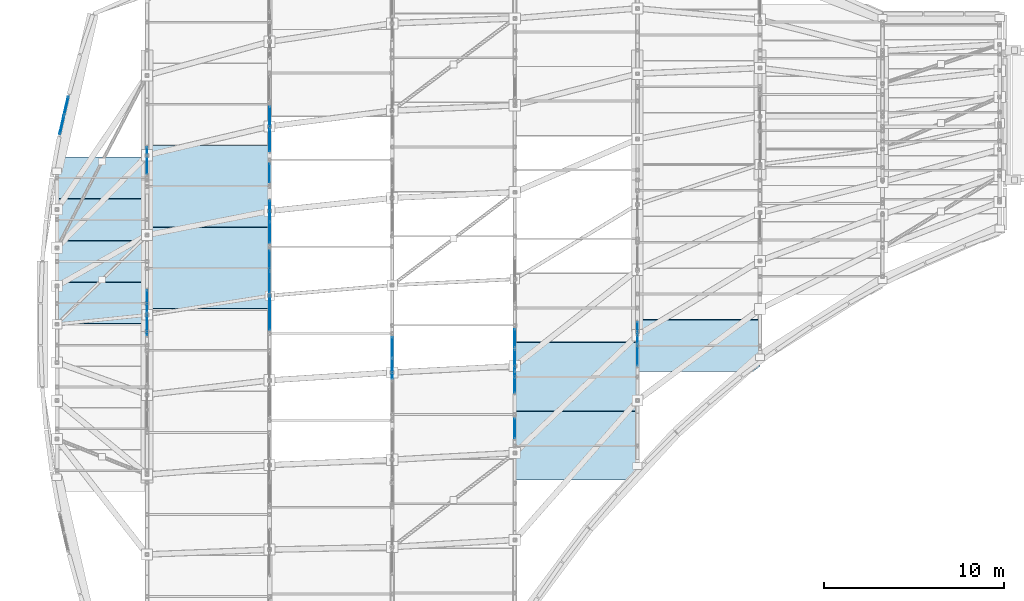
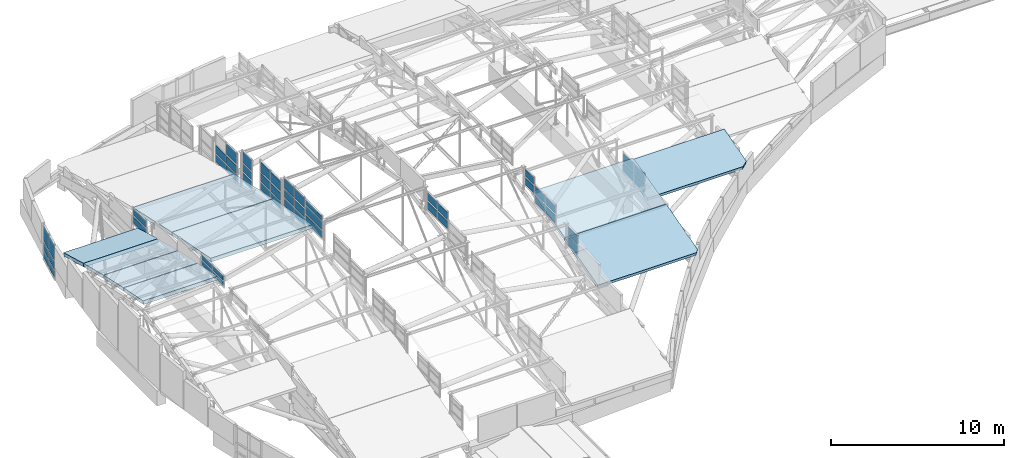
# One storey, part 161 of 188: 51 plates, 9 slabs, 13 elements without a shape of their own.
"""IFC4 building model written with IfcOpenShell, lengths in metres."""

from ifc_helpers import new_model, si_unit, direction, frame, origin, origin_2d, place, context, subcontext, project, spatial, polyline, rectangle, outline, extrude, material, layer, layer_set, type_object, element, aggregate, save


model = new_model("IFC4")

# Units and contexts
model_context = context("Model", 3, precision=1e-05, world=origin(), true_north=direction((0.0, 1.0)))
body_context = subcontext(model_context, "Body", "Model", "MODEL_VIEW")
ifc_project = project(units=[si_unit("LENGTHUNIT", "METRE"), si_unit("AREAUNIT", "SQUARE_METRE"), si_unit("VOLUMEUNIT", "CUBIC_METRE"), si_unit("PLANEANGLEUNIT", "RADIAN"), si_unit("MASSUNIT", "GRAM", prefix="KILO")], contexts=[model_context])

# Site, building, storey
site_placement = place(None, origin())
site = spatial("IfcSite", under=ifc_project, at=site_placement, CompositionType="ELEMENT")
building_placement = place(site_placement, origin())
building = spatial("IfcBuilding", under=site, at=building_placement, Name="Kisaragi Civic Commons", CompositionType="ELEMENT")
storey_placement = place(building_placement, frame((0.0, 0.0, 9.60009765625)))
storey = spatial("IfcBuildingStorey", under=building, at=storey_placement, Name="L02", CompositionType="ELEMENT", Elevation=9.60009765625)

# Curtain wall, plates
ifc_material_1 = material(Name="Thermally broken anodized aluminium and low-E double glazing", Category="aluminium")
ifc_layer_1 = layer(ifc_material_1, 0.2099609375, Name="Thermally broken anodized aluminium and low-E double glazing", Category="aluminium")
ifc_layer_set_1 = layer_set([ifc_layer_1], Name="Thermally broken anodized aluminium and low-E double glazing")
curtain_wall_type_1 = type_object("IfcCurtainWallType", Name="CW-02", PredefinedType="NOTDEFINED", material=ifc_layer_set_1)
curtain_wall_1_placement = place(storey_placement, origin())
curtain_wall_1 = element("IfcCurtainWall", 1, at=curtain_wall_1_placement, inside=storey, type_object=curtain_wall_type_1, Name="L02 curtain wall CW-02 CW-GAB-V2-222", PredefinedType="NOTDEFINED")
ifc_layer_2 = layer(ifc_material_1, 0.052001953125, Name="Thermally broken anodized aluminium and low-E double glazing", Category="aluminium")
ifc_layer_set_2 = layer_set([ifc_layer_2], Name="Thermally broken anodized aluminium and low-E double glazing")
plate_type_1 = type_object("IfcPlateType", Name="CWP-02", PredefinedType="CURTAIN_PANEL", material=ifc_layer_set_2)
plate_1_placement = place(storey_placement, frame((2.07177734375, 107.45263671875, -1.2392578125), z_axis=(0.0, 0.0, 1.0), x_axis=(0.222888557527, 0.974843931572, 0.0)))
plate_1 = element("IfcPlate", 2, at=plate_1_placement, type_object=plate_type_1, Name="CW-02 panel 1.1", PredefinedType="CURTAIN_PANEL", context=body_context, shape_type="SweptSolid", body=[
    extrude(rectangle(XDim=1.023681640625, YDim=0.052001953125, at=origin_2d()), origin(), (0.0, 0.0, 1.0), 0.409912109375),
])
plate_2_placement = place(storey_placement, frame((2.07177734375, 107.45263671875, -0.6689453125), z_axis=(0.0, 0.0, 1.0), x_axis=(0.222888557527, 0.974843931572, 0.0)))
plate_2 = element("IfcPlate", 3, at=plate_2_placement, type_object=plate_type_1, Name="CW-02 panel 1.2", PredefinedType="CURTAIN_PANEL", context=body_context, shape_type="SweptSolid", body=[
    extrude(rectangle(XDim=1.023681640625, YDim=0.052001953125, at=origin_2d()), origin(), (0.0, 0.0, 1.0), 0.489990234375),
])
plate_3_placement = place(storey_placement, frame((2.07177734375, 107.45263671875, -0.01904296875), z_axis=(0.0, 0.0, 1.0), x_axis=(0.222888557527, 0.974843931572, 0.0)))
plate_3 = element("IfcPlate", 4, at=plate_3_placement, type_object=plate_type_1, Name="CW-02 panel 1.3", PredefinedType="CURTAIN_PANEL", context=body_context, shape_type="SweptSolid", body=[
    extrude(rectangle(XDim=1.023681640625, YDim=0.052001953125, at=origin_2d()), origin(), (0.0, 0.0, 1.0), 0.994384765625),
])
plate_4_placement = place(storey_placement, frame((2.3154296875, 108.518798828125, -1.2392578125), z_axis=(0.0, 0.0, 1.0), x_axis=(0.222888557527, 0.974843931572, 0.0)))
plate_4 = element("IfcPlate", 5, at=plate_4_placement, type_object=plate_type_1, Name="CW-02 panel 2.1", PredefinedType="CURTAIN_PANEL", context=body_context, shape_type="SweptSolid", body=[
    extrude(rectangle(XDim=1.023681640625, YDim=0.052001953125, at=origin_2d()), origin(), (0.0, 0.0, 1.0), 0.409912109375),
])
plate_5_placement = place(storey_placement, frame((2.3154296875, 108.518798828125, -0.6689453125), z_axis=(0.0, 0.0, 1.0), x_axis=(0.222888557527, 0.974843931572, 0.0)))
plate_5 = element("IfcPlate", 6, at=plate_5_placement, type_object=plate_type_1, Name="CW-02 panel 2.2", PredefinedType="CURTAIN_PANEL", context=body_context, shape_type="SweptSolid", body=[
    extrude(rectangle(XDim=1.023681640625, YDim=0.052001953125, at=origin_2d()), origin(), (0.0, 0.0, 1.0), 0.489990234375),
])
plate_6_placement = place(storey_placement, frame((2.3154296875, 108.518798828125, -0.01904296875), z_axis=(0.0, 0.0, 1.0), x_axis=(0.222888557527, 0.974843931572, 0.0)))
plate_6 = element("IfcPlate", 7, at=plate_6_placement, type_object=plate_type_1, Name="CW-02 panel 2.3", PredefinedType="CURTAIN_PANEL", context=body_context, shape_type="SweptSolid", body=[
    extrude(rectangle(XDim=1.023681640625, YDim=0.052001953125, at=origin_2d()), origin(), (0.0, 0.0, 1.0), 0.994384765625),
])
aggregate(curtain_wall_1, [plate_1, plate_2, plate_3, plate_4, plate_5, plate_6])

ifc_layer_3 = layer(ifc_material_1, 0.14990234375, Name="Thermally broken anodized aluminium and low-E double glazing", Category="aluminium")
ifc_layer_set_3 = layer_set([ifc_layer_3], Name="Thermally broken anodized aluminium and low-E double glazing")
curtain_wall_type_2 = type_object("IfcCurtainWallType", Name="CW-03", PredefinedType="NOTDEFINED", material=ifc_layer_set_3)
curtain_wall_2_placement = place(storey_placement, origin())
curtain_wall_2 = element("IfcCurtainWall", 8, at=curtain_wall_2_placement, inside=storey, type_object=curtain_wall_type_2, Name="L02 curtain wall CW-03 CW-CL-V2-178", PredefinedType="NOTDEFINED")
ifc_layer_4 = layer(ifc_material_1, 0.0380859375, Name="Thermally broken anodized aluminium and low-E double glazing", Category="aluminium")
ifc_layer_set_4 = layer_set([ifc_layer_4], Name="Thermally broken anodized aluminium and low-E double glazing")
plate_type_2 = type_object("IfcPlateType", Name="CWP-03", PredefinedType="CURTAIN_PANEL", material=ifc_layer_set_4)
plate_7_placement = place(storey_placement, frame((6.800048828125, 105.481689453125, 1.386474609375), z_axis=(0.0, 0.0, 1.0), x_axis=(0.0, 1.0, 0.0)))
plate_7 = element("IfcPlate", 9, at=plate_7_placement, type_object=plate_type_2, Name="CW-03 panel 1.1", PredefinedType="CURTAIN_PANEL", context=body_context, shape_type="SweptSolid", body=[
    extrude(rectangle(XDim=1.47705078125, YDim=0.0380859375, at=origin_2d()), origin(), (0.0, 0.0, 1.0), 0.4296875),
])
plate_8_placement = place(storey_placement, frame((6.800048828125, 105.481689453125, 1.936279296875), z_axis=(0.0, 0.0, 1.0), x_axis=(0.0, 1.0, 0.0)))
plate_8 = element("IfcPlate", 10, at=plate_8_placement, type_object=plate_type_2, Name="CW-03 panel 1.2", PredefinedType="CURTAIN_PANEL", context=body_context, shape_type="SweptSolid", body=[
    extrude(rectangle(XDim=1.47705078125, YDim=0.0380859375, at=origin_2d()), origin(), (0.0, 0.0, 1.0), 0.4296875),
])
aggregate(curtain_wall_2, [plate_7, plate_8])

curtain_wall_3_placement = place(storey_placement, origin())
curtain_wall_3 = element("IfcCurtainWall", 11, at=curtain_wall_3_placement, inside=storey, type_object=curtain_wall_type_2, Name="L02 curtain wall CW-03 CW-CL-V2-186", PredefinedType="NOTDEFINED")
plate_9_placement = place(storey_placement, frame((13.60009765625, 98.73291015625, 3.71533203125), z_axis=(0.0, 0.0, 1.0), x_axis=(0.0, 1.0, 0.0)))
plate_9 = element("IfcPlate", 12, at=plate_9_placement, type_object=plate_type_2, Name="CW-03 panel 1.1", PredefinedType="CURTAIN_PANEL", context=body_context, shape_type="SweptSolid", body=[
    extrude(rectangle(XDim=1.127685546875, YDim=0.0380859375, at=origin_2d()), origin(), (0.0, 0.0, 1.0), 0.469970703125),
])
plate_10_placement = place(storey_placement, frame((13.60009765625, 98.73291015625, 4.30517578125), z_axis=(0.0, 0.0, 1.0), x_axis=(0.0, 1.0, 0.0)))
plate_10 = element("IfcPlate", 13, at=plate_10_placement, type_object=plate_type_2, Name="CW-03 panel 1.2", PredefinedType="CURTAIN_PANEL", context=body_context, shape_type="SweptSolid", body=[
    extrude(rectangle(XDim=1.127685546875, YDim=0.0380859375, at=origin_2d()), origin(), (0.0, 0.0, 1.0), 0.530029296875),
])
plate_11_placement = place(storey_placement, frame((13.60009765625, 98.73291015625, 4.95556640625), z_axis=(0.0, 0.0, 1.0), x_axis=(0.0, 1.0, 0.0)))
plate_11 = element("IfcPlate", 14, at=plate_11_placement, type_object=plate_type_2, Name="CW-03 panel 1.3", PredefinedType="CURTAIN_PANEL", context=body_context, shape_type="SweptSolid", body=[
    extrude(rectangle(XDim=1.127685546875, YDim=0.0380859375, at=origin_2d()), origin(), (0.0, 0.0, 1.0), 0.690185546875),
])
plate_12_placement = place(storey_placement, frame((13.60009765625, 99.920654296875, 3.71533203125), z_axis=(0.0, 0.0, 1.0), x_axis=(0.0, 1.0, 0.0)))
plate_12 = element("IfcPlate", 15, at=plate_12_placement, type_object=plate_type_2, Name="CW-03 panel 2.1", PredefinedType="CURTAIN_PANEL", context=body_context, shape_type="SweptSolid", body=[
    extrude(rectangle(XDim=1.127685546875, YDim=0.0380859375, at=origin_2d()), origin(), (0.0, 0.0, 1.0), 0.469970703125),
])
plate_13_placement = place(storey_placement, frame((13.60009765625, 99.920654296875, 4.30517578125), z_axis=(0.0, 0.0, 1.0), x_axis=(0.0, 1.0, 0.0)))
plate_13 = element("IfcPlate", 16, at=plate_13_placement, type_object=plate_type_2, Name="CW-03 panel 2.2", PredefinedType="CURTAIN_PANEL", context=body_context, shape_type="SweptSolid", body=[
    extrude(rectangle(XDim=1.127685546875, YDim=0.0380859375, at=origin_2d()), origin(), (0.0, 0.0, 1.0), 0.530029296875),
])
plate_14_placement = place(storey_placement, frame((13.60009765625, 99.920654296875, 4.95556640625), z_axis=(0.0, 0.0, 1.0), x_axis=(0.0, 1.0, 0.0)))
plate_14 = element("IfcPlate", 17, at=plate_14_placement, type_object=plate_type_2, Name="CW-03 panel 2.3", PredefinedType="CURTAIN_PANEL", context=body_context, shape_type="SweptSolid", body=[
    extrude(rectangle(XDim=1.127685546875, YDim=0.0380859375, at=origin_2d()), origin(), (0.0, 0.0, 1.0), 0.690185546875),
])
aggregate(curtain_wall_3, [plate_9, plate_10, plate_11, plate_12, plate_13, plate_14])

curtain_wall_4_placement = place(storey_placement, origin())
curtain_wall_4 = element("IfcCurtainWall", 18, at=curtain_wall_4_placement, inside=storey, type_object=curtain_wall_type_2, Name="L02 curtain wall CW-03 CW-CL-V2-188", PredefinedType="NOTDEFINED")
plate_15_placement = place(storey_placement, frame((13.60009765625, 104.787841796875, 2.623046875), z_axis=(0.0, 0.0, 1.0), x_axis=(0.0, 1.0, 0.0)))
plate_15 = element("IfcPlate", 19, at=plate_15_placement, type_object=plate_type_2, Name="CW-03 panel 1.1", PredefinedType="CURTAIN_PANEL", context=body_context, shape_type="SweptSolid", body=[
    extrude(rectangle(XDim=1.03076171875, YDim=0.0380859375, at=origin_2d()), origin(), (0.0, 0.0, 1.0), 0.469970703125),
])
plate_16_placement = place(storey_placement, frame((13.60009765625, 104.787841796875, 3.21337890625), z_axis=(0.0, 0.0, 1.0), x_axis=(0.0, 1.0, 0.0)))
plate_16 = element("IfcPlate", 20, at=plate_16_placement, type_object=plate_type_2, Name="CW-03 panel 1.2", PredefinedType="CURTAIN_PANEL", context=body_context, shape_type="SweptSolid", body=[
    extrude(rectangle(XDim=1.03076171875, YDim=0.0380859375, at=origin_2d()), origin(), (0.0, 0.0, 1.0), 0.530029296875),
])
plate_17_placement = place(storey_placement, frame((13.60009765625, 104.787841796875, 3.86328125), z_axis=(0.0, 0.0, 1.0), x_axis=(0.0, 1.0, 0.0)))
plate_17 = element("IfcPlate", 21, at=plate_17_placement, type_object=plate_type_2, Name="CW-03 panel 1.3", PredefinedType="CURTAIN_PANEL", context=body_context, shape_type="SweptSolid", body=[
    extrude(rectangle(XDim=1.03076171875, YDim=0.0380859375, at=origin_2d()), origin(), (0.0, 0.0, 1.0), 0.726806640625),
])
aggregate(curtain_wall_4, [plate_15, plate_16, plate_17])

curtain_wall_5_placement = place(storey_placement, origin())
curtain_wall_5 = element("IfcCurtainWall", 22, at=curtain_wall_5_placement, inside=storey, type_object=curtain_wall_type_2, Name="L02 curtain wall CW-03 CW-CL-V2-204", PredefinedType="NOTDEFINED")
plate_18_placement = place(storey_placement, frame((27.199951171875, 93.178955078125, 2.4658203125), z_axis=(0.0, 0.0, 1.0), x_axis=(0.0, 1.0, 0.0)))
plate_18 = element("IfcPlate", 23, at=plate_18_placement, type_object=plate_type_2, Name="CW-03 panel 1.1", PredefinedType="CURTAIN_PANEL", context=body_context, shape_type="SweptSolid", body=[
    extrude(rectangle(XDim=1.16064453125, YDim=0.0380859375, at=origin_2d()), origin(), (0.0, 0.0, 1.0), 0.541259765625),
])
plate_19_placement = place(storey_placement, frame((27.199951171875, 93.178955078125, 3.126953125), z_axis=(0.0, 0.0, 1.0), x_axis=(0.0, 1.0, 0.0)))
plate_19 = element("IfcPlate", 24, at=plate_19_placement, type_object=plate_type_2, Name="CW-03 panel 1.2", PredefinedType="CURTAIN_PANEL", context=body_context, shape_type="SweptSolid", body=[
    extrude(rectangle(XDim=1.16064453125, YDim=0.0380859375, at=origin_2d()), origin(), (0.0, 0.0, 1.0), 0.54150390625),
])
plate_20_placement = place(storey_placement, frame((27.199951171875, 94.399658203125, 2.4658203125), z_axis=(0.0, 0.0, 1.0), x_axis=(0.0, 1.0, 0.0)))
plate_20 = element("IfcPlate", 25, at=plate_20_placement, type_object=plate_type_2, Name="CW-03 panel 2.1", PredefinedType="CURTAIN_PANEL", context=body_context, shape_type="SweptSolid", body=[
    extrude(rectangle(XDim=1.16064453125, YDim=0.0380859375, at=origin_2d()), origin(), (0.0, 0.0, 1.0), 0.541259765625),
])
plate_21_placement = place(storey_placement, frame((27.199951171875, 94.399658203125, 3.126953125), z_axis=(0.0, 0.0, 1.0), x_axis=(0.0, 1.0, 0.0)))
plate_21 = element("IfcPlate", 26, at=plate_21_placement, type_object=plate_type_2, Name="CW-03 panel 2.2", PredefinedType="CURTAIN_PANEL", context=body_context, shape_type="SweptSolid", body=[
    extrude(rectangle(XDim=1.16064453125, YDim=0.0380859375, at=origin_2d()), origin(), (0.0, 0.0, 1.0), 0.54150390625),
])
aggregate(curtain_wall_5, [plate_18, plate_19, plate_20, plate_21])

curtain_wall_6_placement = place(storey_placement, origin())
curtain_wall_6 = element("IfcCurtainWall", 27, at=curtain_wall_6_placement, inside=storey, type_object=curtain_wall_type_2, Name="L02 curtain wall CW-03 CW-CL-V2-177", PredefinedType="NOTDEFINED")
ifc_layer_5 = layer(ifc_material_1, 0.041015625, Name="Thermally broken anodized aluminium and low-E double glazing", Category="aluminium")
ifc_layer_set_5 = layer_set([ifc_layer_5], Name="Thermally broken anodized aluminium and low-E double glazing")
plate_type_3 = type_object("IfcPlateType", Name="CWP-11", PredefinedType="CURTAIN_PANEL", material=ifc_layer_set_5)
plate_22_placement = place(storey_placement, frame((6.800048828125, 96.389892578125, 3.253662109375), z_axis=(0.0, 0.0, 1.0), x_axis=(0.0, 1.0, 0.0)))
plate_22 = element("IfcPlate", 28, at=plate_22_placement, type_object=plate_type_3, Name="CW-03 panel 1.1", PredefinedType="CURTAIN_PANEL", context=body_context, shape_type="SweptSolid", body=[
    extrude(rectangle(XDim=1.22119140625, YDim=0.041015625, at=origin_2d()), origin(), (0.0, 0.0, 1.0), 0.2734375),
])
plate_23_placement = place(storey_placement, frame((6.800048828125, 96.389892578125, 3.64697265625), z_axis=(0.0, 0.0, 1.0), x_axis=(0.0, 1.0, 0.0)))
plate_23 = element("IfcPlate", 29, at=plate_23_placement, type_object=plate_type_3, Name="CW-03 panel 1.2", PredefinedType="CURTAIN_PANEL", context=body_context, shape_type="SweptSolid", body=[
    extrude(rectangle(XDim=1.22119140625, YDim=0.041015625, at=origin_2d()), origin(), (0.0, 0.0, 1.0), 0.2734375),
])
plate_24_placement = place(storey_placement, frame((6.800048828125, 97.671142578125, 3.253662109375), z_axis=(0.0, 0.0, 1.0), x_axis=(0.0, 1.0, 0.0)))
plate_24 = element("IfcPlate", 30, at=plate_24_placement, type_object=plate_type_3, Name="CW-03 panel 2.1", PredefinedType="CURTAIN_PANEL", context=body_context, shape_type="SweptSolid", body=[
    extrude(rectangle(XDim=1.22119140625, YDim=0.041015625, at=origin_2d()), origin(), (0.0, 0.0, 1.0), 0.2734375),
])
plate_25_placement = place(storey_placement, frame((6.800048828125, 97.671142578125, 3.64697265625), z_axis=(0.0, 0.0, 1.0), x_axis=(0.0, 1.0, 0.0)))
plate_25 = element("IfcPlate", 31, at=plate_25_placement, type_object=plate_type_3, Name="CW-03 panel 2.2", PredefinedType="CURTAIN_PANEL", context=body_context, shape_type="SweptSolid", body=[
    extrude(rectangle(XDim=1.22119140625, YDim=0.041015625, at=origin_2d()), origin(), (0.0, 0.0, 1.0), 0.2734375),
])
aggregate(curtain_wall_6, [plate_22, plate_23, plate_24, plate_25])

curtain_wall_7_placement = place(storey_placement, origin())
curtain_wall_7 = element("IfcCurtainWall", 32, at=curtain_wall_7_placement, inside=storey, type_object=curtain_wall_type_2, Name="L02 curtain wall CW-03 CW-CL-V2-185", PredefinedType="NOTDEFINED")
plate_26_placement = place(storey_placement, frame((13.60009765625, 97.0654296875, 4.05419921875), z_axis=(0.0, 0.0, 1.0), x_axis=(0.0, 1.0, 0.0)))
plate_26 = element("IfcPlate", 33, at=plate_26_placement, type_object=plate_type_3, Name="CW-03 panel 1.1", PredefinedType="CURTAIN_PANEL", context=body_context, shape_type="SweptSolid", body=[
    extrude(rectangle(XDim=1.919189453125, YDim=0.041015625, at=origin_2d()), origin(), (0.0, 0.0, 1.0), 0.469970703125),
])
plate_27_placement = place(storey_placement, frame((13.60009765625, 97.0654296875, 4.64404296875), z_axis=(0.0, 0.0, 1.0), x_axis=(0.0, 1.0, 0.0)))
plate_27 = element("IfcPlate", 34, at=plate_27_placement, type_object=plate_type_3, Name="CW-03 panel 1.2", PredefinedType="CURTAIN_PANEL", context=body_context, shape_type="SweptSolid", body=[
    extrude(rectangle(XDim=1.919189453125, YDim=0.041015625, at=origin_2d()), origin(), (0.0, 0.0, 1.0), 0.530029296875),
])
plate_28_placement = place(storey_placement, frame((13.60009765625, 97.0654296875, 5.294189453125), z_axis=(0.0, 0.0, 1.0), x_axis=(0.0, 1.0, 0.0)))
plate_28 = element("IfcPlate", 35, at=plate_28_placement, type_object=plate_type_3, Name="CW-03 panel 1.3", PredefinedType="CURTAIN_PANEL", context=body_context, shape_type="SweptSolid", body=[
    extrude(rectangle(XDim=1.919189453125, YDim=0.041015625, at=origin_2d()), origin(), (0.0, 0.0, 1.0), 0.2744140625),
])
aggregate(curtain_wall_7, [plate_26, plate_27, plate_28])

curtain_wall_8_placement = place(storey_placement, origin())
curtain_wall_8 = element("IfcCurtainWall", 36, at=curtain_wall_8_placement, inside=storey, type_object=curtain_wall_type_2, Name="L02 curtain wall CW-03 CW-CL-V2-187", PredefinedType="NOTDEFINED")
plate_29_placement = place(storey_placement, frame((13.60009765625, 101.489501953125, 3.20166015625), z_axis=(0.0, 0.0, 1.0), x_axis=(0.0, 1.0, 0.0)))
plate_29 = element("IfcPlate", 37, at=plate_29_placement, type_object=plate_type_3, Name="CW-03 panel 1.1", PredefinedType="CURTAIN_PANEL", context=body_context, shape_type="SweptSolid", body=[
    extrude(rectangle(XDim=1.1298828125, YDim=0.041015625, at=origin_2d()), origin(), (0.0, 0.0, 1.0), 0.469970703125),
])
plate_30_placement = place(storey_placement, frame((13.60009765625, 101.489501953125, 3.79150390625), z_axis=(0.0, 0.0, 1.0), x_axis=(0.0, 1.0, 0.0)))
plate_30 = element("IfcPlate", 38, at=plate_30_placement, type_object=plate_type_3, Name="CW-03 panel 1.2", PredefinedType="CURTAIN_PANEL", context=body_context, shape_type="SweptSolid", body=[
    extrude(rectangle(XDim=1.1298828125, YDim=0.041015625, at=origin_2d()), origin(), (0.0, 0.0, 1.0), 0.530029296875),
])
plate_31_placement = place(storey_placement, frame((13.60009765625, 101.489501953125, 4.441650390625), z_axis=(0.0, 0.0, 1.0), x_axis=(0.0, 1.0, 0.0)))
plate_31 = element("IfcPlate", 39, at=plate_31_placement, type_object=plate_type_3, Name="CW-03 panel 1.3", PredefinedType="CURTAIN_PANEL", context=body_context, shape_type="SweptSolid", body=[
    extrude(rectangle(XDim=1.1298828125, YDim=0.041015625, at=origin_2d()), origin(), (0.0, 0.0, 1.0), 0.69677734375),
])
plate_32_placement = place(storey_placement, frame((13.60009765625, 102.67919921875, 3.20166015625), z_axis=(0.0, 0.0, 1.0), x_axis=(0.0, 1.0, 0.0)))
plate_32 = element("IfcPlate", 40, at=plate_32_placement, type_object=plate_type_3, Name="CW-03 panel 2.1", PredefinedType="CURTAIN_PANEL", context=body_context, shape_type="SweptSolid", body=[
    extrude(rectangle(XDim=1.1298828125, YDim=0.041015625, at=origin_2d()), origin(), (0.0, 0.0, 1.0), 0.469970703125),
])
plate_33_placement = place(storey_placement, frame((13.60009765625, 102.67919921875, 3.79150390625), z_axis=(0.0, 0.0, 1.0), x_axis=(0.0, 1.0, 0.0)))
plate_33 = element("IfcPlate", 41, at=plate_33_placement, type_object=plate_type_3, Name="CW-03 panel 2.2", PredefinedType="CURTAIN_PANEL", context=body_context, shape_type="SweptSolid", body=[
    extrude(rectangle(XDim=1.1298828125, YDim=0.041015625, at=origin_2d()), origin(), (0.0, 0.0, 1.0), 0.530029296875),
])
plate_34_placement = place(storey_placement, frame((13.60009765625, 102.67919921875, 4.441650390625), z_axis=(0.0, 0.0, 1.0), x_axis=(0.0, 1.0, 0.0)))
plate_34 = element("IfcPlate", 42, at=plate_34_placement, type_object=plate_type_3, Name="CW-03 panel 2.3", PredefinedType="CURTAIN_PANEL", context=body_context, shape_type="SweptSolid", body=[
    extrude(rectangle(XDim=1.1298828125, YDim=0.041015625, at=origin_2d()), origin(), (0.0, 0.0, 1.0), 0.69677734375),
])
aggregate(curtain_wall_8, [plate_29, plate_30, plate_31, plate_32, plate_33, plate_34])

curtain_wall_9_placement = place(storey_placement, origin())
curtain_wall_9 = element("IfcCurtainWall", 43, at=curtain_wall_9_placement, inside=storey, type_object=curtain_wall_type_2, Name="L02 curtain wall CW-03 CW-CL-V2-189", PredefinedType="NOTDEFINED")
plate_35_placement = place(storey_placement, frame((13.60009765625, 106.59912109375, 2.01953125), z_axis=(0.0, 0.0, 1.0), x_axis=(0.0, 1.0, 0.0)))
plate_35 = element("IfcPlate", 44, at=plate_35_placement, type_object=plate_type_3, Name="CW-03 panel 1.1", PredefinedType="CURTAIN_PANEL", context=body_context, shape_type="SweptSolid", body=[
    extrude(rectangle(XDim=1.202880859375, YDim=0.041015625, at=origin_2d()), origin(), (0.0, 0.0, 1.0), 0.469970703125),
])
plate_36_placement = place(storey_placement, frame((13.60009765625, 106.59912109375, 2.60986328125), z_axis=(0.0, 0.0, 1.0), x_axis=(0.0, 1.0, 0.0)))
plate_36 = element("IfcPlate", 45, at=plate_36_placement, type_object=plate_type_3, Name="CW-03 panel 1.2", PredefinedType="CURTAIN_PANEL", context=body_context, shape_type="SweptSolid", body=[
    extrude(rectangle(XDim=1.202880859375, YDim=0.041015625, at=origin_2d()), origin(), (0.0, 0.0, 1.0), 0.530029296875),
])
plate_37_placement = place(storey_placement, frame((13.60009765625, 106.59912109375, 3.259765625), z_axis=(0.0, 0.0, 1.0), x_axis=(0.0, 1.0, 0.0)))
plate_37 = element("IfcPlate", 46, at=plate_37_placement, type_object=plate_type_3, Name="CW-03 panel 1.3", PredefinedType="CURTAIN_PANEL", context=body_context, shape_type="SweptSolid", body=[
    extrude(rectangle(XDim=1.202880859375, YDim=0.041015625, at=origin_2d()), origin(), (0.0, 0.0, 1.0), 0.751708984375),
])
plate_38_placement = place(storey_placement, frame((13.60009765625, 107.86181640625, 2.01953125), z_axis=(0.0, 0.0, 1.0), x_axis=(0.0, 1.0, 0.0)))
plate_38 = element("IfcPlate", 47, at=plate_38_placement, type_object=plate_type_3, Name="CW-03 panel 2.1", PredefinedType="CURTAIN_PANEL", context=body_context, shape_type="SweptSolid", body=[
    extrude(rectangle(XDim=1.202880859375, YDim=0.041015625, at=origin_2d()), origin(), (0.0, 0.0, 1.0), 0.469970703125),
])
plate_39_placement = place(storey_placement, frame((13.60009765625, 107.86181640625, 2.60986328125), z_axis=(0.0, 0.0, 1.0), x_axis=(0.0, 1.0, 0.0)))
plate_39 = element("IfcPlate", 48, at=plate_39_placement, type_object=plate_type_3, Name="CW-03 panel 2.2", PredefinedType="CURTAIN_PANEL", context=body_context, shape_type="SweptSolid", body=[
    extrude(rectangle(XDim=1.202880859375, YDim=0.041015625, at=origin_2d()), origin(), (0.0, 0.0, 1.0), 0.530029296875),
])
aggregate(curtain_wall_9, [plate_35, plate_36, plate_37, plate_38, plate_39])

curtain_wall_10_placement = place(storey_placement, origin())
curtain_wall_10 = element("IfcCurtainWall", 49, at=curtain_wall_10_placement, inside=storey, type_object=curtain_wall_type_2, Name="L02 curtain wall CW-03 CW-CL-V2-197", PredefinedType="NOTDEFINED")
plate_40_placement = place(storey_placement, frame((20.39990234375, 93.9248046875, 4.015380859375), z_axis=(0.0, 0.0, 1.0), x_axis=(0.0, 1.0, 0.0)))
plate_40 = element("IfcPlate", 50, at=plate_40_placement, type_object=plate_type_3, Name="CW-03 panel 1.1", PredefinedType="CURTAIN_PANEL", context=body_context, shape_type="SweptSolid", body=[
    extrude(rectangle(XDim=1.12060546875, YDim=0.041015625, at=origin_2d()), origin(), (0.0, 0.0, 1.0), 0.50732421875),
])
plate_41_placement = place(storey_placement, frame((20.39990234375, 93.9248046875, 4.642822265625), z_axis=(0.0, 0.0, 1.0), x_axis=(0.0, 1.0, 0.0)))
plate_41 = element("IfcPlate", 51, at=plate_41_placement, type_object=plate_type_3, Name="CW-03 panel 1.2", PredefinedType="CURTAIN_PANEL", context=body_context, shape_type="SweptSolid", body=[
    extrude(rectangle(XDim=1.12060546875, YDim=0.041015625, at=origin_2d()), origin(), (0.0, 0.0, 1.0), 0.50732421875),
])
plate_42_placement = place(storey_placement, frame((20.39990234375, 95.10546875, 4.015380859375), z_axis=(0.0, 0.0, 1.0), x_axis=(0.0, 1.0, 0.0)))
plate_42 = element("IfcPlate", 52, at=plate_42_placement, type_object=plate_type_3, Name="CW-03 panel 2.1", PredefinedType="CURTAIN_PANEL", context=body_context, shape_type="SweptSolid", body=[
    extrude(rectangle(XDim=1.12060546875, YDim=0.041015625, at=origin_2d()), origin(), (0.0, 0.0, 1.0), 0.50732421875),
])
plate_43_placement = place(storey_placement, frame((20.39990234375, 95.10546875, 4.642822265625), z_axis=(0.0, 0.0, 1.0), x_axis=(0.0, 1.0, 0.0)))
plate_43 = element("IfcPlate", 53, at=plate_43_placement, type_object=plate_type_3, Name="CW-03 panel 2.2", PredefinedType="CURTAIN_PANEL", context=body_context, shape_type="SweptSolid", body=[
    extrude(rectangle(XDim=1.12060546875, YDim=0.041015625, at=origin_2d()), origin(), (0.0, 0.0, 1.0), 0.50732421875),
])
aggregate(curtain_wall_10, [plate_40, plate_41, plate_42, plate_43])

curtain_wall_11_placement = place(storey_placement, origin())
curtain_wall_11 = element("IfcCurtainWall", 54, at=curtain_wall_11_placement, inside=storey, type_object=curtain_wall_type_2, Name="L02 curtain wall CW-03 CW-CL-V2-203", PredefinedType="NOTDEFINED")
plate_44_placement = place(storey_placement, frame((27.199951171875, 90.62158203125, 1.827392578125), z_axis=(0.0, 0.0, 1.0), x_axis=(0.0, 1.0, 0.0)))
plate_44 = element("IfcPlate", 55, at=plate_44_placement, type_object=plate_type_3, Name="CW-03 panel 1.1", PredefinedType="CURTAIN_PANEL", context=body_context, shape_type="SweptSolid", body=[
    extrude(rectangle(XDim=1.09619140625, YDim=0.041015625, at=origin_2d()), origin(), (0.0, 0.0, 1.0), 0.58056640625),
])
plate_45_placement = place(storey_placement, frame((27.199951171875, 90.62158203125, 2.52783203125), z_axis=(0.0, 0.0, 1.0), x_axis=(0.0, 1.0, 0.0)))
plate_45 = element("IfcPlate", 56, at=plate_45_placement, type_object=plate_type_3, Name="CW-03 panel 1.2", PredefinedType="CURTAIN_PANEL", context=body_context, shape_type="SweptSolid", body=[
    extrude(rectangle(XDim=1.09619140625, YDim=0.041015625, at=origin_2d()), origin(), (0.0, 0.0, 1.0), 0.58056640625),
])
aggregate(curtain_wall_11, [plate_44, plate_45])

curtain_wall_12_placement = place(storey_placement, origin())
curtain_wall_12 = element("IfcCurtainWall", 57, at=curtain_wall_12_placement, inside=storey, type_object=curtain_wall_type_2, Name="L02 curtain wall CW-03 CW-CL-V2-205", PredefinedType="NOTDEFINED")
plate_46_placement = place(storey_placement, frame((27.199951171875, 95.62060546875, 3.06982421875), z_axis=(0.0, 0.0, 1.0), x_axis=(0.0, 1.0, 0.0)))
plate_46 = element("IfcPlate", 58, at=plate_46_placement, type_object=plate_type_3, Name="CW-03 panel 1.1", PredefinedType="CURTAIN_PANEL", context=body_context, shape_type="SweptSolid", body=[
    extrude(rectangle(XDim=0.99365234375, YDim=0.041015625, at=origin_2d()), origin(), (0.0, 0.0, 1.0), 0.485595703125),
])
plate_47_placement = place(storey_placement, frame((27.199951171875, 95.62060546875, 3.67529296875), z_axis=(0.0, 0.0, 1.0), x_axis=(0.0, 1.0, 0.0)))
plate_47 = element("IfcPlate", 59, at=plate_47_placement, type_object=plate_type_3, Name="CW-03 panel 1.2", PredefinedType="CURTAIN_PANEL", context=body_context, shape_type="SweptSolid", body=[
    extrude(rectangle(XDim=0.99365234375, YDim=0.041015625, at=origin_2d()), origin(), (0.0, 0.0, 1.0), 0.485595703125),
])
aggregate(curtain_wall_12, [plate_46, plate_47])

curtain_wall_13_placement = place(storey_placement, origin())
curtain_wall_13 = element("IfcCurtainWall", 60, at=curtain_wall_13_placement, inside=storey, type_object=curtain_wall_type_2, Name="L02 curtain wall CW-03 CW-CL-V2-209", PredefinedType="NOTDEFINED")
plate_48_placement = place(storey_placement, frame((34.0, 94.686767578125, 1.408203125), z_axis=(0.0, 0.0, 1.0), x_axis=(0.0, 1.0, 0.0)))
plate_48 = element("IfcPlate", 61, at=plate_48_placement, type_object=plate_type_3, Name="CW-03 panel 1.1", PredefinedType="CURTAIN_PANEL", context=body_context, shape_type="SweptSolid", body=[
    extrude(rectangle(XDim=1.18212890625, YDim=0.041015625, at=origin_2d()), origin(), (0.0, 0.0, 1.0), 0.568115234375),
])
plate_49_placement = place(storey_placement, frame((34.0, 94.686767578125, 2.09619140625), z_axis=(0.0, 0.0, 1.0), x_axis=(0.0, 1.0, 0.0)))
plate_49 = element("IfcPlate", 62, at=plate_49_placement, type_object=plate_type_3, Name="CW-03 panel 1.2", PredefinedType="CURTAIN_PANEL", context=body_context, shape_type="SweptSolid", body=[
    extrude(rectangle(XDim=1.18212890625, YDim=0.041015625, at=origin_2d()), origin(), (0.0, 0.0, 1.0), 0.568115234375),
])
plate_50_placement = place(storey_placement, frame((34.0, 95.928955078125, 1.408203125), z_axis=(0.0, 0.0, 1.0), x_axis=(0.0, 1.0, 0.0)))
plate_50 = element("IfcPlate", 63, at=plate_50_placement, type_object=plate_type_3, Name="CW-03 panel 2.1", PredefinedType="CURTAIN_PANEL", context=body_context, shape_type="SweptSolid", body=[
    extrude(rectangle(XDim=1.18212890625, YDim=0.041015625, at=origin_2d()), origin(), (0.0, 0.0, 1.0), 0.568115234375),
])
plate_51_placement = place(storey_placement, frame((34.0, 95.928955078125, 2.09619140625), z_axis=(0.0, 0.0, 1.0), x_axis=(0.0, 1.0, 0.0)))
plate_51 = element("IfcPlate", 64, at=plate_51_placement, type_object=plate_type_3, Name="CW-03 panel 2.2", PredefinedType="CURTAIN_PANEL", context=body_context, shape_type="SweptSolid", body=[
    extrude(rectangle(XDim=1.18212890625, YDim=0.041015625, at=origin_2d()), origin(), (0.0, 0.0, 1.0), 0.568115234375),
])
aggregate(curtain_wall_13, [plate_48, plate_49, plate_50, plate_51])

# Slabs
ifc_material_2 = material(Name="Concrete Fc30", Category="concrete")
ifc_layer_6 = layer(ifc_material_2, 0.238037109375, Name="Concrete Fc30", Category="concrete")
ifc_layer_set_6 = layer_set([ifc_layer_6], Name="Concrete Fc30")
slab_type = type_object("IfcSlabType", Name="SL-WV2", PredefinedType="ROOF", material=ifc_layer_set_6)
slab_1_placement = place(storey_placement, frame((1.804931640625, 96.451904296875, 3.524169921875), z_axis=(0.0, 0.190747556978, 0.981639123867), x_axis=(1.0, 0.0, 0.0)))
element("IfcSlab", 65, at=slab_1_placement, inside=storey, type_object=slab_type, Name="V2 continuous wave vault facet 1.5", PredefinedType="ROOF", context=body_context, shape_type="SweptSolid", body=[
    extrude(outline(polyline([(0.0, 0.0), (4.989990234375, 0.0), (4.989990234375, 2.301286845847266), (0.0, 2.301286845847266), (0.0, 0.0)])), origin(), (0.0, 0.0, -1.0), 0.238037109375),
])
slab_2_placement = place(storey_placement, frame((1.804931640625, 98.73095703125, 3.0810546875), z_axis=(0.0, 0.216513620379, 0.976279597344), x_axis=(1.0, 0.0, 0.0)))
element("IfcSlab", 66, at=slab_2_placement, inside=storey, type_object=slab_type, Name="V2 continuous wave vault facet 1.6", PredefinedType="ROOF", context=body_context, shape_type="SweptSolid", body=[
    extrude(outline(polyline([(0.0, 0.0), (4.989990234375, 0.0), (4.989990234375, 2.356682712881594), (0.0, 2.356682712881594), (0.0, 0.0)])), origin(), (0.0, 0.0, -1.0), 0.238037109375),
])
slab_3_placement = place(storey_placement, frame((1.804931640625, 101.0517578125, 2.566162109375), z_axis=(0.0, 0.241929995817, 0.970293706629), x_axis=(1.0, 0.0, 0.0)))
element("IfcSlab", 67, at=slab_3_placement, inside=storey, type_object=slab_type, Name="V2 continuous wave vault facet 1.7", PredefinedType="ROOF", context=body_context, shape_type="SweptSolid", body=[
    extrude(outline(polyline([(0.0, 0.0), (4.989990234375, 0.0), (4.989990234375, 2.3714730652219163), (0.0, 2.3714730652219163), (0.0, 0.0)])), origin(), (0.0, 0.0, -1.0), 0.238037109375),
])
slab_4_placement = place(storey_placement, frame((1.804931640625, 103.372802734375, 1.987060546875), z_axis=(0.0, 0.267143282531, 0.96365681993), x_axis=(1.0, 0.0, 0.0)))
element("IfcSlab", 68, at=slab_4_placement, inside=storey, type_object=slab_type, Name="V2 continuous wave vault facet 1.8", PredefinedType="ROOF", context=body_context, shape_type="SweptSolid", body=[
    extrude(outline(polyline([(0.0, 0.0), (4.989990234375, 0.0), (4.989990234375, 2.3898326333552156), (0.0, 2.3898326333552156), (0.0, 0.0)])), origin(), (0.0, 0.0, -1.0), 0.238037109375),
])
slab_5_placement = place(storey_placement, frame((13.594970703125, 101.766845703125, 3.41357421875), z_axis=(0.0, 0.190846797324, 0.981619834738), x_axis=(-1.0, 0.0, 0.0)))
element("IfcSlab", 69, at=slab_5_placement, inside=storey, type_object=slab_type, Name="V2 continuous wave vault facet 2.5", PredefinedType="ROOF", context=body_context, shape_type="SweptSolid", body=[
    extrude(outline(polyline([(0.0, 0.0), (6.7900390625, 0.0), (6.7900390625, 4.573316118553884), (0.0, 4.573316118553884), (0.0, 0.0)])), origin(), (0.0, 0.0, -1.0), 0.238037109375),
])
slab_6_placement = place(storey_placement, frame((13.594970703125, 106.318115234375, 2.405029296875), z_axis=(0.0, 0.216406876568, 0.976303264244), x_axis=(-1.0, 0.0, 0.0)))
element("IfcSlab", 70, at=slab_6_placement, inside=storey, type_object=slab_type, Name="V2 continuous wave vault facet 2.6", PredefinedType="ROOF", context=body_context, shape_type="SweptSolid", body=[
    extrude(outline(polyline([(0.0, 0.0), (6.7900390625, 0.0), (6.7900390625, 4.641232049456794), (0.0, 4.641232049456794), (0.0, 0.0)])), origin(), (0.0, 0.0, -1.0), 0.238037109375),
])
slab_7_placement = place(storey_placement, frame((33.9951171875, 91.559326171875, 2.067138671875), z_axis=(1.840988e-06, -0.267204088117, 0.963639961443), x_axis=(-0.999999999998, -4.9192e-07, 1.77405e-06)))
element("IfcSlab", 71, at=slab_7_placement, inside=storey, type_object=slab_type, Name="V2 continuous wave vault facet 5.1", PredefinedType="ROOF", context=body_context, shape_type="SweptSolid", body=[
    extrude(outline(polyline([(0.0, 0.0), (6.790039062488494, 3.594616749425751e-22), (6.790039062489104, 3.950779305612782), (0.1799316406253049, 3.950779305612782), (-4.5416291470176486e-11, 3.747850859157862), (0.0, 0.0)])), origin(), (0.0, 0.0, -1.0), 0.238037109375),
])
slab_8_placement = place(storey_placement, frame((33.9951171875, 95.384521484375, 3.021240234375), z_axis=(0.0, -0.24192035693, 0.970296109908), x_axis=(-1.0, 0.0, 0.0)))
element("IfcSlab", 72, at=slab_8_placement, inside=storey, type_object=slab_type, Name="V2 continuous wave vault facet 5.2", PredefinedType="ROOF", context=body_context, shape_type="SweptSolid", body=[
    extrude(outline(polyline([(0.0, 0.0), (6.7900390625, 0.0), (6.7900390625, 3.921664471693893), (0.0, 3.921664471693893), (0.0, 0.0)])), origin(), (0.0, 0.0, -1.0), 0.238037109375),
])
slab_9_placement = place(storey_placement, frame((40.794921875, 96.6298828125, 1.932861328125), z_axis=(9.084038e-06, -0.267241463753, 0.963629596872), x_axis=(-0.999999999959, -2.427632e-06, 8.753648e-06)))
element("IfcSlab", 73, at=slab_9_placement, inside=storey, type_object=slab_type, Name="V2 continuous wave vault facet 6.1", PredefinedType="ROOF", context=body_context, shape_type="SweptSolid", body=[
    extrude(outline(polyline([(0.0, 0.0), (6.790039062219844, 0.0), (6.790039062251615, 2.964508902193475), (0.38500976564088546, 2.964508902193475), (-1.0888536332756996e-09, 2.665330554389715), (0.0, 0.0)])), origin(), (0.0, 0.0, -1.0), 0.238037109375),
])

save(model, "model.ifc")
